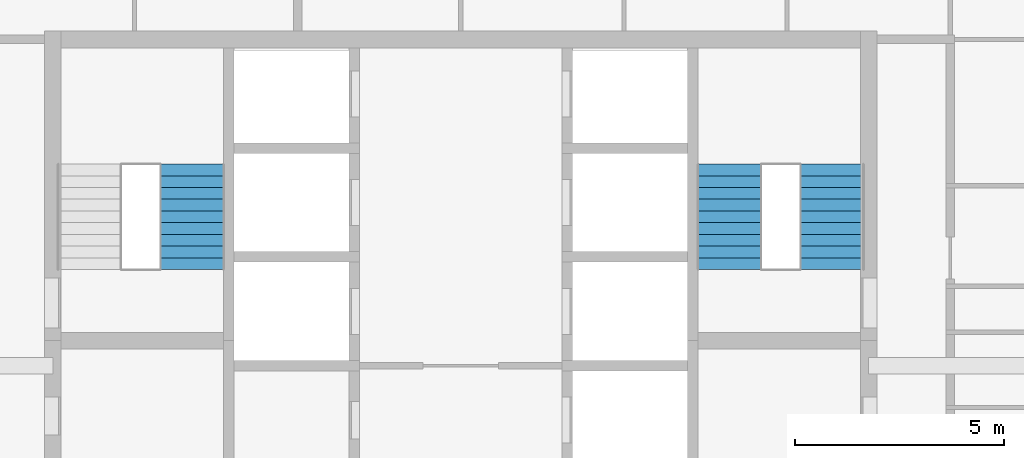
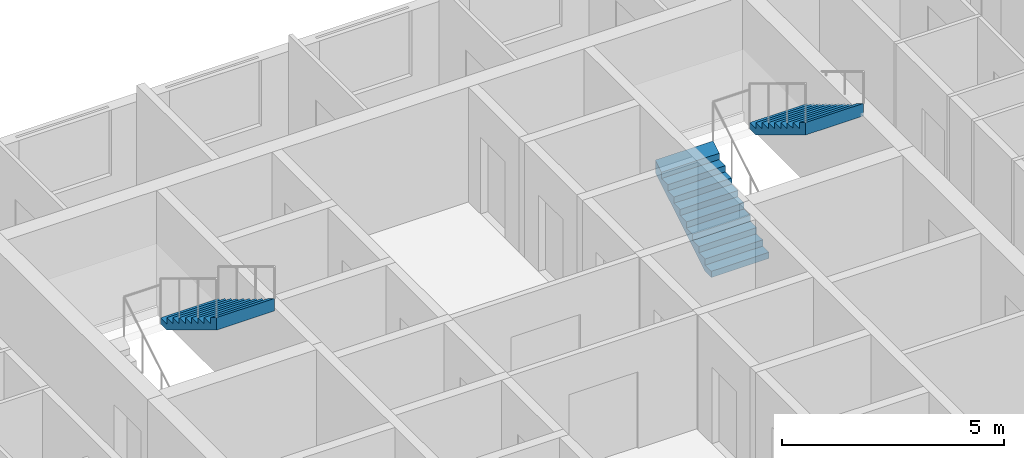
# One storey, part 14 of 16: 3 stair flights, 2 elements without a shape of their own.
"""IFC4 building model written with IfcOpenShell, lengths in metres."""

from ifc_helpers import new_model, si_unit, direction, frame, origin, place, context, subcontext, project, spatial, triangles, material, type_object, element, aggregate, save


model = new_model("IFC4")

# Units and contexts
model_context = context("Model", 3, precision=1e-05, world=origin(), true_north=direction((0.0, 1.0)))
body_context = subcontext(model_context, "Body", "Model", "MODEL_VIEW")
ifc_project = project(units=[si_unit("LENGTHUNIT", "METRE"), si_unit("AREAUNIT", "SQUARE_METRE"), si_unit("VOLUMEUNIT", "CUBIC_METRE"), si_unit("PLANEANGLEUNIT", "RADIAN"), si_unit("MASSUNIT", "GRAM", prefix="KILO")], contexts=[model_context])

# Site, building, storey
site_placement = place(None, origin())
site = spatial("IfcSite", under=ifc_project, at=site_placement, CompositionType="ELEMENT")
building_placement = place(site_placement, origin())
building = spatial("IfcBuilding", under=site, at=building_placement, Name="Ludao Terraces", CompositionType="ELEMENT")
storey_placement = place(building_placement, frame((0.0, 0.0, 207.5)))
storey = spatial("IfcBuildingStorey", under=building, at=storey_placement, Name="L56", CompositionType="ELEMENT", Elevation=207.5)

# Stair, stair flight
ifc_material = material(Name="Concrete C40", Category="concrete")
stair_type = type_object("IfcStairType", Name="INT Stair", PredefinedType="HALF_TURN_STAIR", material=ifc_material)
stair_1_placement = place(storey_placement, origin())
stair_1 = element("IfcStair", 1, at=stair_1_placement, inside=storey, type_object=stair_type, Name="EXIT STAIR 1", PredefinedType="HALF_TURN_STAIR")
stair_flight_type = type_object("IfcStairFlightType", Name="INT Stair flight", PredefinedType="STRAIGHT", material=ifc_material)
stair_flight_1_placement = place(storey_placement, frame((78.574951171875, 81.52001953125, 1.699951171875), z_axis=(0.0, 0.0, 1.0), x_axis=(0.0, -1.0, 0.0)))
stair_flight_1 = element("IfcStairFlight", 2, at=stair_flight_1_placement, type_object=stair_flight_type, Name="ST1 flight 2", NumberOfRisers=10, NumberOfTreads=9, PredefinedType="STRAIGHT", RiserHeight=0.17, TreadLength=0.28, context=body_context, shape_type="Tessellation", body=[
    triangles([(0.0, -0.75, 0.0), (0.0, -0.5, 0.0), (0.0, -0.25, 0.0), (0.0, 0.0, 0.0), (0.0, 0.25, 0.0), (0.0, 0.5, 0.0), (0.0, 0.75, 0.0), (0.0, -0.75, 0.169921875), (0.0, -0.5, 0.169921875), (0.0, -0.25, 0.169921875), (0.0, 0.0, 0.169921875), (0.0, 0.25, 0.169921875), (0.0, 0.5, 0.169921875), (0.0, 0.75, 0.169921875), (0.280029296875, -0.75, 0.169921875), (0.280029296875, -0.5, 0.169921875), (0.280029296875, -0.25, 0.169921875), (0.280029296875, 0.0, 0.169921875), (0.280029296875, 0.25, 0.169921875), (0.280029296875, 0.5, 0.169921875), (0.280029296875, 0.75, 0.169921875), (0.280029296875, -0.75, 0.340087890625), (0.280029296875, -0.5, 0.340087890625), (0.280029296875, -0.25, 0.340087890625), (0.280029296875, 0.0, 0.340087890625), (0.280029296875, 0.25, 0.340087890625), (0.280029296875, 0.5, 0.340087890625), (0.280029296875, 0.75, 0.340087890625), (0.56005859375, -0.75, 0.340087890625), (0.56005859375, -0.5, 0.340087890625), (0.56005859375, -0.25, 0.340087890625), (0.56005859375, 0.0, 0.340087890625), (0.56005859375, 0.25, 0.340087890625), (0.56005859375, 0.5, 0.340087890625), (0.56005859375, 0.75, 0.340087890625), (0.56005859375, -0.75, 0.510009765625), (0.56005859375, -0.5, 0.510009765625), (0.56005859375, -0.25, 0.510009765625), (0.56005859375, 0.0, 0.510009765625), (0.56005859375, 0.25, 0.510009765625), (0.56005859375, 0.5, 0.510009765625), (0.56005859375, 0.75, 0.510009765625), (0.840087890625, -0.75, 0.510009765625), (0.840087890625, -0.5, 0.510009765625), (0.840087890625, -0.25, 0.510009765625), (0.840087890625, 0.0, 0.510009765625), (0.840087890625, 0.25, 0.510009765625), (0.840087890625, 0.5, 0.510009765625), (0.840087890625, 0.75, 0.510009765625), (0.840087890625, -0.75, 0.679931640625), (0.840087890625, -0.5, 0.679931640625), (0.840087890625, -0.25, 0.679931640625), (0.840087890625, 0.0, 0.679931640625), (0.840087890625, 0.25, 0.679931640625), (0.840087890625, 0.5, 0.679931640625), (0.840087890625, 0.75, 0.679931640625), (1.1201171875, -0.75, 0.679931640625), (1.1201171875, -0.5, 0.679931640625), (1.1201171875, -0.25, 0.679931640625), (1.1201171875, 0.0, 0.679931640625), (1.1201171875, 0.25, 0.679931640625), (1.1201171875, 0.5, 0.679931640625), (1.1201171875, 0.75, 0.679931640625), (1.1201171875, -0.75, 0.85009765625), (1.1201171875, -0.5, 0.85009765625), (1.1201171875, -0.25, 0.85009765625), (1.1201171875, 0.0, 0.85009765625), (1.1201171875, 0.25, 0.85009765625), (1.1201171875, 0.5, 0.85009765625), (1.1201171875, 0.75, 0.85009765625), (1.39990234375, -0.75, 0.85009765625), (1.39990234375, -0.5, 0.85009765625), (1.39990234375, -0.25, 0.85009765625), (1.39990234375, 0.0, 0.85009765625), (1.39990234375, 0.25, 0.85009765625), (1.39990234375, 0.5, 0.85009765625), (1.39990234375, 0.75, 0.85009765625), (1.39990234375, -0.75, 1.02001953125), (1.39990234375, -0.5, 1.02001953125), (1.39990234375, -0.25, 1.02001953125), (1.39990234375, 0.0, 1.02001953125), (1.39990234375, 0.25, 1.02001953125), (1.39990234375, 0.5, 1.02001953125), (1.39990234375, 0.75, 1.02001953125), (1.679931640625, -0.75, 1.02001953125), (1.679931640625, -0.5, 1.02001953125), (1.679931640625, -0.25, 1.02001953125), (1.679931640625, 0.0, 1.02001953125), (1.679931640625, 0.25, 1.02001953125), (1.679931640625, 0.5, 1.02001953125), (1.679931640625, 0.75, 1.02001953125), (1.679931640625, -0.75, 1.18994140625), (1.679931640625, -0.5, 1.18994140625), (1.679931640625, -0.25, 1.18994140625), (1.679931640625, 0.0, 1.18994140625), (1.679931640625, 0.25, 1.18994140625), (1.679931640625, 0.5, 1.18994140625), (1.679931640625, 0.75, 1.18994140625), (1.9599609375, -0.75, 1.18994140625), (1.9599609375, -0.5, 1.18994140625), (1.9599609375, -0.25, 1.18994140625), (1.9599609375, 0.0, 1.18994140625), (1.9599609375, 0.25, 1.18994140625), (1.9599609375, 0.5, 1.18994140625), (1.9599609375, 0.75, 1.18994140625), (1.9599609375, -0.75, 1.360107421875), (1.9599609375, -0.5, 1.360107421875), (1.9599609375, -0.25, 1.360107421875), (1.9599609375, 0.0, 1.360107421875), (1.9599609375, 0.25, 1.360107421875), (1.9599609375, 0.5, 1.360107421875), (1.9599609375, 0.75, 1.360107421875), (2.239990234375, -0.75, 1.360107421875), (2.239990234375, -0.5, 1.360107421875), (2.239990234375, -0.25, 1.360107421875), (2.239990234375, 0.0, 1.360107421875), (2.239990234375, 0.25, 1.360107421875), (2.239990234375, 0.5, 1.360107421875), (2.239990234375, 0.75, 1.360107421875), (2.239990234375, -0.75, 1.530029296875), (2.239990234375, -0.5, 1.530029296875), (2.239990234375, -0.25, 1.530029296875), (2.239990234375, 0.0, 1.530029296875), (2.239990234375, 0.25, 1.530029296875), (2.239990234375, 0.5, 1.530029296875), (2.239990234375, 0.75, 1.530029296875), (2.52001953125, -0.75, 1.699951171875), (2.52001953125, -0.5, 1.699951171875), (2.52001953125, -0.25, 1.699951171875), (2.52001953125, 0.0, 1.699951171875), (2.52001953125, 0.25, 1.699951171875), (2.52001953125, 0.5, 1.699951171875), (2.52001953125, 0.75, 1.699951171875), (2.52001953125, -0.75, 1.354736328125), (2.52001953125, -0.5, 1.354736328125), (2.52001953125, -0.25, 1.354736328125), (2.52001953125, 0.0, 1.354736328125), (2.52001953125, 0.25, 1.354736328125), (2.52001953125, 0.5, 1.354736328125), (2.52001953125, 0.75, 1.354736328125), (0.288818359375, -0.75, 0.0), (0.288818359375, -0.5, 0.0), (0.288818359375, -0.25, 0.0), (0.288818359375, 0.0, 0.0), (0.288818359375, 0.25, 0.0), (0.288818359375, 0.5, 0.0), (0.288818359375, 0.75, 0.0)], [[1, 141, 134], [7, 140, 147], [134, 127, 120], [140, 126, 133], [134, 120, 113], [140, 119, 126], [134, 113, 106], [140, 112, 119], [134, 106, 99], [140, 105, 112], [99, 92, 85], [105, 91, 98], [134, 99, 85], [140, 91, 105], [85, 78, 71], [91, 77, 84], [134, 85, 71], [140, 77, 91], [71, 64, 57], [77, 63, 70], [134, 71, 57], [140, 63, 77], [57, 50, 43], [63, 49, 56], [134, 57, 43], [140, 49, 63], [43, 36, 29], [49, 35, 42], [134, 43, 29], [140, 35, 49], [29, 22, 15], [35, 21, 28], [134, 29, 15], [140, 21, 35], [1, 134, 15], [7, 21, 140], [15, 8, 1], [21, 7, 14], [1, 9, 2], [1, 8, 9], [2, 10, 3], [2, 9, 10], [3, 11, 4], [3, 10, 11], [4, 12, 5], [4, 11, 12], [5, 13, 6], [5, 12, 13], [6, 14, 7], [6, 13, 14], [8, 16, 9], [8, 15, 16], [9, 17, 10], [9, 16, 17], [10, 18, 11], [10, 17, 18], [11, 19, 12], [11, 18, 19], [12, 20, 13], [12, 19, 20], [13, 21, 14], [13, 20, 21], [15, 23, 16], [15, 22, 23], [16, 24, 17], [16, 23, 24], [17, 25, 18], [17, 24, 25], [18, 26, 19], [18, 25, 26], [19, 27, 20], [19, 26, 27], [20, 28, 21], [20, 27, 28], [22, 30, 23], [22, 29, 30], [23, 31, 24], [23, 30, 31], [24, 32, 25], [24, 31, 32], [25, 33, 26], [25, 32, 33], [26, 34, 27], [26, 33, 34], [27, 35, 28], [27, 34, 35], [29, 37, 30], [29, 36, 37], [30, 38, 31], [30, 37, 38], [31, 39, 32], [31, 38, 39], [32, 40, 33], [32, 39, 40], [33, 41, 34], [33, 40, 41], [34, 42, 35], [34, 41, 42], [36, 44, 37], [36, 43, 44], [37, 45, 38], [37, 44, 45], [38, 46, 39], [38, 45, 46], [39, 47, 40], [39, 46, 47], [40, 48, 41], [40, 47, 48], [41, 49, 42], [41, 48, 49], [43, 51, 44], [43, 50, 51], [44, 52, 45], [44, 51, 52], [45, 53, 46], [45, 52, 53], [46, 54, 47], [46, 53, 54], [47, 55, 48], [47, 54, 55], [48, 56, 49], [48, 55, 56], [50, 58, 51], [50, 57, 58], [51, 59, 52], [51, 58, 59], [52, 60, 53], [52, 59, 60], [53, 61, 54], [53, 60, 61], [54, 62, 55], [54, 61, 62], [55, 63, 56], [55, 62, 63], [57, 65, 58], [57, 64, 65], [58, 66, 59], [58, 65, 66], [59, 67, 60], [59, 66, 67], [60, 68, 61], [60, 67, 68], [61, 69, 62], [61, 68, 69], [62, 70, 63], [62, 69, 70], [64, 72, 65], [64, 71, 72], [65, 73, 66], [65, 72, 73], [66, 74, 67], [66, 73, 74], [67, 75, 68], [67, 74, 75], [68, 76, 69], [68, 75, 76], [69, 77, 70], [69, 76, 77], [71, 79, 72], [71, 78, 79], [72, 80, 73], [72, 79, 80], [73, 81, 74], [73, 80, 81], [74, 82, 75], [74, 81, 82], [75, 83, 76], [75, 82, 83], [76, 84, 77], [76, 83, 84], [78, 86, 79], [78, 85, 86], [79, 87, 80], [79, 86, 87], [80, 88, 81], [80, 87, 88], [81, 89, 82], [81, 88, 89], [82, 90, 83], [82, 89, 90], [83, 91, 84], [83, 90, 91], [85, 93, 86], [85, 92, 93], [86, 94, 87], [86, 93, 94], [87, 95, 88], [87, 94, 95], [88, 96, 89], [88, 95, 96], [89, 97, 90], [89, 96, 97], [90, 98, 91], [90, 97, 98], [92, 100, 93], [92, 99, 100], [93, 101, 94], [93, 100, 101], [94, 102, 95], [94, 101, 102], [95, 103, 96], [95, 102, 103], [96, 104, 97], [96, 103, 104], [97, 105, 98], [97, 104, 105], [99, 107, 100], [99, 106, 107], [100, 108, 101], [100, 107, 108], [101, 109, 102], [101, 108, 109], [102, 110, 103], [102, 109, 110], [103, 111, 104], [103, 110, 111], [104, 112, 105], [104, 111, 112], [106, 114, 107], [106, 113, 114], [107, 115, 108], [107, 114, 115], [108, 116, 109], [108, 115, 116], [109, 117, 110], [109, 116, 117], [110, 118, 111], [110, 117, 118], [111, 119, 112], [111, 118, 119], [113, 121, 114], [113, 120, 121], [114, 122, 115], [114, 121, 122], [115, 123, 116], [115, 122, 123], [116, 124, 117], [116, 123, 124], [117, 125, 118], [117, 124, 125], [118, 126, 119], [118, 125, 126], [120, 128, 121], [120, 127, 128], [121, 129, 122], [121, 128, 129], [122, 130, 123], [122, 129, 130], [123, 131, 124], [123, 130, 131], [124, 132, 125], [124, 131, 132], [125, 133, 126], [125, 132, 133], [127, 135, 128], [127, 134, 135], [128, 136, 129], [128, 135, 136], [129, 137, 130], [129, 136, 137], [130, 138, 131], [130, 137, 138], [131, 139, 132], [131, 138, 139], [132, 140, 133], [132, 139, 140], [134, 142, 135], [134, 141, 142], [135, 143, 136], [135, 142, 143], [136, 144, 137], [136, 143, 144], [137, 145, 138], [137, 144, 145], [138, 146, 139], [138, 145, 146], [139, 147, 140], [139, 146, 147], [141, 2, 142], [141, 1, 2], [142, 3, 143], [142, 2, 3], [143, 4, 144], [143, 3, 4], [144, 5, 145], [144, 4, 5], [145, 6, 146], [145, 5, 6], [146, 7, 147], [146, 6, 7]], closed=True),
])
aggregate(stair_1, [stair_flight_1])

# Stair, stair flights
stair_2_placement = place(storey_placement, origin())
stair_2 = element("IfcStair", 3, at=stair_2_placement, inside=storey, type_object=stair_type, Name="EXIT STAIR 2", PredefinedType="HALF_TURN_STAIR")
stair_flight_2_placement = place(storey_placement, frame((91.425048828125, 79.0, 0.0), z_axis=(0.0, 0.0, 1.0), x_axis=(0.0, 1.0, 0.0)))
stair_flight_2 = element("IfcStairFlight", 4, at=stair_flight_2_placement, type_object=stair_flight_type, Name="ST2 flight 1", NumberOfRisers=10, NumberOfTreads=9, PredefinedType="STRAIGHT", RiserHeight=0.17, TreadLength=0.28, context=body_context, shape_type="Tessellation", body=[
    triangles([(0.0, -0.75, 0.0), (0.0, -0.5, 0.0), (0.0, -0.25, 0.0), (0.0, 0.0, 0.0), (0.0, 0.25, 0.0), (0.0, 0.5, 0.0), (0.0, 0.75, 0.0), (0.0, -0.75, 0.169921875), (0.0, -0.5, 0.169921875), (0.0, -0.25, 0.169921875), (0.0, 0.0, 0.169921875), (0.0, 0.25, 0.169921875), (0.0, 0.5, 0.169921875), (0.0, 0.75, 0.169921875), (0.280029296875, -0.75, 0.169921875), (0.280029296875, -0.5, 0.169921875), (0.280029296875, -0.25, 0.169921875), (0.280029296875, 0.0, 0.169921875), (0.280029296875, 0.25, 0.169921875), (0.280029296875, 0.5, 0.169921875), (0.280029296875, 0.75, 0.169921875), (0.280029296875, -0.75, 0.340087890625), (0.280029296875, -0.5, 0.340087890625), (0.280029296875, -0.25, 0.340087890625), (0.280029296875, 0.0, 0.340087890625), (0.280029296875, 0.25, 0.340087890625), (0.280029296875, 0.5, 0.340087890625), (0.280029296875, 0.75, 0.340087890625), (0.56005859375, -0.75, 0.340087890625), (0.56005859375, -0.5, 0.340087890625), (0.56005859375, -0.25, 0.340087890625), (0.56005859375, 0.0, 0.340087890625), (0.56005859375, 0.25, 0.340087890625), (0.56005859375, 0.5, 0.340087890625), (0.56005859375, 0.75, 0.340087890625), (0.56005859375, -0.75, 0.510009765625), (0.56005859375, -0.5, 0.510009765625), (0.56005859375, -0.25, 0.510009765625), (0.56005859375, 0.0, 0.510009765625), (0.56005859375, 0.25, 0.510009765625), (0.56005859375, 0.5, 0.510009765625), (0.56005859375, 0.75, 0.510009765625), (0.840087890625, -0.75, 0.510009765625), (0.840087890625, -0.5, 0.510009765625), (0.840087890625, -0.25, 0.510009765625), (0.840087890625, 0.0, 0.510009765625), (0.840087890625, 0.25, 0.510009765625), (0.840087890625, 0.5, 0.510009765625), (0.840087890625, 0.75, 0.510009765625), (0.840087890625, -0.75, 0.679931640625), (0.840087890625, -0.5, 0.679931640625), (0.840087890625, -0.25, 0.679931640625), (0.840087890625, 0.0, 0.679931640625), (0.840087890625, 0.25, 0.679931640625), (0.840087890625, 0.5, 0.679931640625), (0.840087890625, 0.75, 0.679931640625), (1.1201171875, -0.75, 0.679931640625), (1.1201171875, -0.5, 0.679931640625), (1.1201171875, -0.25, 0.679931640625), (1.1201171875, 0.0, 0.679931640625), (1.1201171875, 0.25, 0.679931640625), (1.1201171875, 0.5, 0.679931640625), (1.1201171875, 0.75, 0.679931640625), (1.1201171875, -0.75, 0.85009765625), (1.1201171875, -0.5, 0.85009765625), (1.1201171875, -0.25, 0.85009765625), (1.1201171875, 0.0, 0.85009765625), (1.1201171875, 0.25, 0.85009765625), (1.1201171875, 0.5, 0.85009765625), (1.1201171875, 0.75, 0.85009765625), (1.39990234375, -0.75, 0.85009765625), (1.39990234375, -0.5, 0.85009765625), (1.39990234375, -0.25, 0.85009765625), (1.39990234375, 0.0, 0.85009765625), (1.39990234375, 0.25, 0.85009765625), (1.39990234375, 0.5, 0.85009765625), (1.39990234375, 0.75, 0.85009765625), (1.39990234375, -0.75, 1.02001953125), (1.39990234375, -0.5, 1.02001953125), (1.39990234375, -0.25, 1.02001953125), (1.39990234375, 0.0, 1.02001953125), (1.39990234375, 0.25, 1.02001953125), (1.39990234375, 0.5, 1.02001953125), (1.39990234375, 0.75, 1.02001953125), (1.679931640625, -0.75, 1.02001953125), (1.679931640625, -0.5, 1.02001953125), (1.679931640625, -0.25, 1.02001953125), (1.679931640625, 0.0, 1.02001953125), (1.679931640625, 0.25, 1.02001953125), (1.679931640625, 0.5, 1.02001953125), (1.679931640625, 0.75, 1.02001953125), (1.679931640625, -0.75, 1.18994140625), (1.679931640625, -0.5, 1.18994140625), (1.679931640625, -0.25, 1.18994140625), (1.679931640625, 0.0, 1.18994140625), (1.679931640625, 0.25, 1.18994140625), (1.679931640625, 0.5, 1.18994140625), (1.679931640625, 0.75, 1.18994140625), (1.9599609375, -0.75, 1.18994140625), (1.9599609375, -0.5, 1.18994140625), (1.9599609375, -0.25, 1.18994140625), (1.9599609375, 0.0, 1.18994140625), (1.9599609375, 0.25, 1.18994140625), (1.9599609375, 0.5, 1.18994140625), (1.9599609375, 0.75, 1.18994140625), (1.9599609375, -0.75, 1.360107421875), (1.9599609375, -0.5, 1.360107421875), (1.9599609375, -0.25, 1.360107421875), (1.9599609375, 0.0, 1.360107421875), (1.9599609375, 0.25, 1.360107421875), (1.9599609375, 0.5, 1.360107421875), (1.9599609375, 0.75, 1.360107421875), (2.239990234375, -0.75, 1.360107421875), (2.239990234375, -0.5, 1.360107421875), (2.239990234375, -0.25, 1.360107421875), (2.239990234375, 0.0, 1.360107421875), (2.239990234375, 0.25, 1.360107421875), (2.239990234375, 0.5, 1.360107421875), (2.239990234375, 0.75, 1.360107421875), (2.239990234375, -0.75, 1.530029296875), (2.239990234375, -0.5, 1.530029296875), (2.239990234375, -0.25, 1.530029296875), (2.239990234375, 0.0, 1.530029296875), (2.239990234375, 0.25, 1.530029296875), (2.239990234375, 0.5, 1.530029296875), (2.239990234375, 0.75, 1.530029296875), (2.52001953125, -0.75, 1.699951171875), (2.52001953125, -0.5, 1.699951171875), (2.52001953125, -0.25, 1.699951171875), (2.52001953125, 0.0, 1.699951171875), (2.52001953125, 0.25, 1.699951171875), (2.52001953125, 0.5, 1.699951171875), (2.52001953125, 0.75, 1.699951171875), (2.52001953125, -0.75, 1.354736328125), (2.52001953125, -0.5, 1.354736328125), (2.52001953125, -0.25, 1.354736328125), (2.52001953125, 0.0, 1.354736328125), (2.52001953125, 0.25, 1.354736328125), (2.52001953125, 0.5, 1.354736328125), (2.52001953125, 0.75, 1.354736328125), (0.288818359375, -0.75, 0.0), (0.288818359375, -0.5, 0.0), (0.288818359375, -0.25, 0.0), (0.288818359375, 0.0, 0.0), (0.288818359375, 0.25, 0.0), (0.288818359375, 0.5, 0.0), (0.288818359375, 0.75, 0.0)], [[1, 141, 134], [7, 140, 147], [134, 127, 120], [140, 126, 133], [134, 120, 113], [140, 119, 126], [134, 113, 106], [140, 112, 119], [134, 106, 99], [140, 105, 112], [99, 92, 85], [105, 91, 98], [134, 99, 85], [140, 91, 105], [85, 78, 71], [91, 77, 84], [134, 85, 71], [140, 77, 91], [71, 64, 57], [77, 63, 70], [134, 71, 57], [140, 63, 77], [57, 50, 43], [63, 49, 56], [134, 57, 43], [140, 49, 63], [43, 36, 29], [49, 35, 42], [134, 43, 29], [140, 35, 49], [29, 22, 15], [35, 21, 28], [134, 29, 15], [140, 21, 35], [1, 134, 15], [7, 21, 140], [15, 8, 1], [21, 7, 14], [1, 9, 2], [1, 8, 9], [2, 10, 3], [2, 9, 10], [3, 11, 4], [3, 10, 11], [4, 12, 5], [4, 11, 12], [5, 13, 6], [5, 12, 13], [6, 14, 7], [6, 13, 14], [8, 16, 9], [8, 15, 16], [9, 17, 10], [9, 16, 17], [10, 18, 11], [10, 17, 18], [11, 19, 12], [11, 18, 19], [12, 20, 13], [12, 19, 20], [13, 21, 14], [13, 20, 21], [15, 23, 16], [15, 22, 23], [16, 24, 17], [16, 23, 24], [17, 25, 18], [17, 24, 25], [18, 26, 19], [18, 25, 26], [19, 27, 20], [19, 26, 27], [20, 28, 21], [20, 27, 28], [22, 30, 23], [22, 29, 30], [23, 31, 24], [23, 30, 31], [24, 32, 25], [24, 31, 32], [25, 33, 26], [25, 32, 33], [26, 34, 27], [26, 33, 34], [27, 35, 28], [27, 34, 35], [29, 37, 30], [29, 36, 37], [30, 38, 31], [30, 37, 38], [31, 39, 32], [31, 38, 39], [32, 40, 33], [32, 39, 40], [33, 41, 34], [33, 40, 41], [34, 42, 35], [34, 41, 42], [36, 44, 37], [36, 43, 44], [37, 45, 38], [37, 44, 45], [38, 46, 39], [38, 45, 46], [39, 47, 40], [39, 46, 47], [40, 48, 41], [40, 47, 48], [41, 49, 42], [41, 48, 49], [43, 51, 44], [43, 50, 51], [44, 52, 45], [44, 51, 52], [45, 53, 46], [45, 52, 53], [46, 54, 47], [46, 53, 54], [47, 55, 48], [47, 54, 55], [48, 56, 49], [48, 55, 56], [50, 58, 51], [50, 57, 58], [51, 59, 52], [51, 58, 59], [52, 60, 53], [52, 59, 60], [53, 61, 54], [53, 60, 61], [54, 62, 55], [54, 61, 62], [55, 63, 56], [55, 62, 63], [57, 65, 58], [57, 64, 65], [58, 66, 59], [58, 65, 66], [59, 67, 60], [59, 66, 67], [60, 68, 61], [60, 67, 68], [61, 69, 62], [61, 68, 69], [62, 70, 63], [62, 69, 70], [64, 72, 65], [64, 71, 72], [65, 73, 66], [65, 72, 73], [66, 74, 67], [66, 73, 74], [67, 75, 68], [67, 74, 75], [68, 76, 69], [68, 75, 76], [69, 77, 70], [69, 76, 77], [71, 79, 72], [71, 78, 79], [72, 80, 73], [72, 79, 80], [73, 81, 74], [73, 80, 81], [74, 82, 75], [74, 81, 82], [75, 83, 76], [75, 82, 83], [76, 84, 77], [76, 83, 84], [78, 86, 79], [78, 85, 86], [79, 87, 80], [79, 86, 87], [80, 88, 81], [80, 87, 88], [81, 89, 82], [81, 88, 89], [82, 90, 83], [82, 89, 90], [83, 91, 84], [83, 90, 91], [85, 93, 86], [85, 92, 93], [86, 94, 87], [86, 93, 94], [87, 95, 88], [87, 94, 95], [88, 96, 89], [88, 95, 96], [89, 97, 90], [89, 96, 97], [90, 98, 91], [90, 97, 98], [92, 100, 93], [92, 99, 100], [93, 101, 94], [93, 100, 101], [94, 102, 95], [94, 101, 102], [95, 103, 96], [95, 102, 103], [96, 104, 97], [96, 103, 104], [97, 105, 98], [97, 104, 105], [99, 107, 100], [99, 106, 107], [100, 108, 101], [100, 107, 108], [101, 109, 102], [101, 108, 109], [102, 110, 103], [102, 109, 110], [103, 111, 104], [103, 110, 111], [104, 112, 105], [104, 111, 112], [106, 114, 107], [106, 113, 114], [107, 115, 108], [107, 114, 115], [108, 116, 109], [108, 115, 116], [109, 117, 110], [109, 116, 117], [110, 118, 111], [110, 117, 118], [111, 119, 112], [111, 118, 119], [113, 121, 114], [113, 120, 121], [114, 122, 115], [114, 121, 122], [115, 123, 116], [115, 122, 123], [116, 124, 117], [116, 123, 124], [117, 125, 118], [117, 124, 125], [118, 126, 119], [118, 125, 126], [120, 128, 121], [120, 127, 128], [121, 129, 122], [121, 128, 129], [122, 130, 123], [122, 129, 130], [123, 131, 124], [123, 130, 131], [124, 132, 125], [124, 131, 132], [125, 133, 126], [125, 132, 133], [127, 135, 128], [127, 134, 135], [128, 136, 129], [128, 135, 136], [129, 137, 130], [129, 136, 137], [130, 138, 131], [130, 137, 138], [131, 139, 132], [131, 138, 139], [132, 140, 133], [132, 139, 140], [134, 142, 135], [134, 141, 142], [135, 143, 136], [135, 142, 143], [136, 144, 137], [136, 143, 144], [137, 145, 138], [137, 144, 145], [138, 146, 139], [138, 145, 146], [139, 147, 140], [139, 146, 147], [141, 2, 142], [141, 1, 2], [142, 3, 143], [142, 2, 3], [143, 4, 144], [143, 3, 4], [144, 5, 145], [144, 4, 5], [145, 6, 146], [145, 5, 6], [146, 7, 147], [146, 6, 7]], closed=True),
])
stair_flight_3_placement = place(storey_placement, frame((93.875, 81.52001953125, 1.699951171875), z_axis=(0.0, 0.0, 1.0), x_axis=(0.0, -1.0, 0.0)))
stair_flight_3 = element("IfcStairFlight", 5, at=stair_flight_3_placement, type_object=stair_flight_type, Name="ST2 flight 2", NumberOfRisers=10, NumberOfTreads=9, PredefinedType="STRAIGHT", RiserHeight=0.17, TreadLength=0.28, context=body_context, shape_type="Tessellation", body=[
    triangles([(0.0, -0.75, 0.0), (0.0, -0.5, 0.0), (0.0, -0.25, 0.0), (0.0, 0.0, 0.0), (0.0, 0.25, 0.0), (0.0, 0.5, 0.0), (0.0, 0.75, 0.0), (0.0, -0.75, 0.169921875), (0.0, -0.5, 0.169921875), (0.0, -0.25, 0.169921875), (0.0, 0.0, 0.169921875), (0.0, 0.25, 0.169921875), (0.0, 0.5, 0.169921875), (0.0, 0.75, 0.169921875), (0.280029296875, -0.75, 0.169921875), (0.280029296875, -0.5, 0.169921875), (0.280029296875, -0.25, 0.169921875), (0.280029296875, 0.0, 0.169921875), (0.280029296875, 0.25, 0.169921875), (0.280029296875, 0.5, 0.169921875), (0.280029296875, 0.75, 0.169921875), (0.280029296875, -0.75, 0.340087890625), (0.280029296875, -0.5, 0.340087890625), (0.280029296875, -0.25, 0.340087890625), (0.280029296875, 0.0, 0.340087890625), (0.280029296875, 0.25, 0.340087890625), (0.280029296875, 0.5, 0.340087890625), (0.280029296875, 0.75, 0.340087890625), (0.56005859375, -0.75, 0.340087890625), (0.56005859375, -0.5, 0.340087890625), (0.56005859375, -0.25, 0.340087890625), (0.56005859375, 0.0, 0.340087890625), (0.56005859375, 0.25, 0.340087890625), (0.56005859375, 0.5, 0.340087890625), (0.56005859375, 0.75, 0.340087890625), (0.56005859375, -0.75, 0.510009765625), (0.56005859375, -0.5, 0.510009765625), (0.56005859375, -0.25, 0.510009765625), (0.56005859375, 0.0, 0.510009765625), (0.56005859375, 0.25, 0.510009765625), (0.56005859375, 0.5, 0.510009765625), (0.56005859375, 0.75, 0.510009765625), (0.840087890625, -0.75, 0.510009765625), (0.840087890625, -0.5, 0.510009765625), (0.840087890625, -0.25, 0.510009765625), (0.840087890625, 0.0, 0.510009765625), (0.840087890625, 0.25, 0.510009765625), (0.840087890625, 0.5, 0.510009765625), (0.840087890625, 0.75, 0.510009765625), (0.840087890625, -0.75, 0.679931640625), (0.840087890625, -0.5, 0.679931640625), (0.840087890625, -0.25, 0.679931640625), (0.840087890625, 0.0, 0.679931640625), (0.840087890625, 0.25, 0.679931640625), (0.840087890625, 0.5, 0.679931640625), (0.840087890625, 0.75, 0.679931640625), (1.1201171875, -0.75, 0.679931640625), (1.1201171875, -0.5, 0.679931640625), (1.1201171875, -0.25, 0.679931640625), (1.1201171875, 0.0, 0.679931640625), (1.1201171875, 0.25, 0.679931640625), (1.1201171875, 0.5, 0.679931640625), (1.1201171875, 0.75, 0.679931640625), (1.1201171875, -0.75, 0.85009765625), (1.1201171875, -0.5, 0.85009765625), (1.1201171875, -0.25, 0.85009765625), (1.1201171875, 0.0, 0.85009765625), (1.1201171875, 0.25, 0.85009765625), (1.1201171875, 0.5, 0.85009765625), (1.1201171875, 0.75, 0.85009765625), (1.39990234375, -0.75, 0.85009765625), (1.39990234375, -0.5, 0.85009765625), (1.39990234375, -0.25, 0.85009765625), (1.39990234375, 0.0, 0.85009765625), (1.39990234375, 0.25, 0.85009765625), (1.39990234375, 0.5, 0.85009765625), (1.39990234375, 0.75, 0.85009765625), (1.39990234375, -0.75, 1.02001953125), (1.39990234375, -0.5, 1.02001953125), (1.39990234375, -0.25, 1.02001953125), (1.39990234375, 0.0, 1.02001953125), (1.39990234375, 0.25, 1.02001953125), (1.39990234375, 0.5, 1.02001953125), (1.39990234375, 0.75, 1.02001953125), (1.679931640625, -0.75, 1.02001953125), (1.679931640625, -0.5, 1.02001953125), (1.679931640625, -0.25, 1.02001953125), (1.679931640625, 0.0, 1.02001953125), (1.679931640625, 0.25, 1.02001953125), (1.679931640625, 0.5, 1.02001953125), (1.679931640625, 0.75, 1.02001953125), (1.679931640625, -0.75, 1.18994140625), (1.679931640625, -0.5, 1.18994140625), (1.679931640625, -0.25, 1.18994140625), (1.679931640625, 0.0, 1.18994140625), (1.679931640625, 0.25, 1.18994140625), (1.679931640625, 0.5, 1.18994140625), (1.679931640625, 0.75, 1.18994140625), (1.9599609375, -0.75, 1.18994140625), (1.9599609375, -0.5, 1.18994140625), (1.9599609375, -0.25, 1.18994140625), (1.9599609375, 0.0, 1.18994140625), (1.9599609375, 0.25, 1.18994140625), (1.9599609375, 0.5, 1.18994140625), (1.9599609375, 0.75, 1.18994140625), (1.9599609375, -0.75, 1.360107421875), (1.9599609375, -0.5, 1.360107421875), (1.9599609375, -0.25, 1.360107421875), (1.9599609375, 0.0, 1.360107421875), (1.9599609375, 0.25, 1.360107421875), (1.9599609375, 0.5, 1.360107421875), (1.9599609375, 0.75, 1.360107421875), (2.239990234375, -0.75, 1.360107421875), (2.239990234375, -0.5, 1.360107421875), (2.239990234375, -0.25, 1.360107421875), (2.239990234375, 0.0, 1.360107421875), (2.239990234375, 0.25, 1.360107421875), (2.239990234375, 0.5, 1.360107421875), (2.239990234375, 0.75, 1.360107421875), (2.239990234375, -0.75, 1.530029296875), (2.239990234375, -0.5, 1.530029296875), (2.239990234375, -0.25, 1.530029296875), (2.239990234375, 0.0, 1.530029296875), (2.239990234375, 0.25, 1.530029296875), (2.239990234375, 0.5, 1.530029296875), (2.239990234375, 0.75, 1.530029296875), (2.52001953125, -0.75, 1.699951171875), (2.52001953125, -0.5, 1.699951171875), (2.52001953125, -0.25, 1.699951171875), (2.52001953125, 0.0, 1.699951171875), (2.52001953125, 0.25, 1.699951171875), (2.52001953125, 0.5, 1.699951171875), (2.52001953125, 0.75, 1.699951171875), (2.52001953125, -0.75, 1.354736328125), (2.52001953125, -0.5, 1.354736328125), (2.52001953125, -0.25, 1.354736328125), (2.52001953125, 0.0, 1.354736328125), (2.52001953125, 0.25, 1.354736328125), (2.52001953125, 0.5, 1.354736328125), (2.52001953125, 0.75, 1.354736328125), (0.288818359375, -0.75, 0.0), (0.288818359375, -0.5, 0.0), (0.288818359375, -0.25, 0.0), (0.288818359375, 0.0, 0.0), (0.288818359375, 0.25, 0.0), (0.288818359375, 0.5, 0.0), (0.288818359375, 0.75, 0.0)], [[1, 141, 134], [7, 140, 147], [134, 127, 120], [140, 126, 133], [134, 120, 113], [140, 119, 126], [134, 113, 106], [140, 112, 119], [134, 106, 99], [140, 105, 112], [99, 92, 85], [105, 91, 98], [134, 99, 85], [140, 91, 105], [85, 78, 71], [91, 77, 84], [134, 85, 71], [140, 77, 91], [71, 64, 57], [77, 63, 70], [134, 71, 57], [140, 63, 77], [57, 50, 43], [63, 49, 56], [134, 57, 43], [140, 49, 63], [43, 36, 29], [49, 35, 42], [134, 43, 29], [140, 35, 49], [29, 22, 15], [35, 21, 28], [134, 29, 15], [140, 21, 35], [1, 134, 15], [7, 21, 140], [15, 8, 1], [21, 7, 14], [1, 9, 2], [1, 8, 9], [2, 10, 3], [2, 9, 10], [3, 11, 4], [3, 10, 11], [4, 12, 5], [4, 11, 12], [5, 13, 6], [5, 12, 13], [6, 14, 7], [6, 13, 14], [8, 16, 9], [8, 15, 16], [9, 17, 10], [9, 16, 17], [10, 18, 11], [10, 17, 18], [11, 19, 12], [11, 18, 19], [12, 20, 13], [12, 19, 20], [13, 21, 14], [13, 20, 21], [15, 23, 16], [15, 22, 23], [16, 24, 17], [16, 23, 24], [17, 25, 18], [17, 24, 25], [18, 26, 19], [18, 25, 26], [19, 27, 20], [19, 26, 27], [20, 28, 21], [20, 27, 28], [22, 30, 23], [22, 29, 30], [23, 31, 24], [23, 30, 31], [24, 32, 25], [24, 31, 32], [25, 33, 26], [25, 32, 33], [26, 34, 27], [26, 33, 34], [27, 35, 28], [27, 34, 35], [29, 37, 30], [29, 36, 37], [30, 38, 31], [30, 37, 38], [31, 39, 32], [31, 38, 39], [32, 40, 33], [32, 39, 40], [33, 41, 34], [33, 40, 41], [34, 42, 35], [34, 41, 42], [36, 44, 37], [36, 43, 44], [37, 45, 38], [37, 44, 45], [38, 46, 39], [38, 45, 46], [39, 47, 40], [39, 46, 47], [40, 48, 41], [40, 47, 48], [41, 49, 42], [41, 48, 49], [43, 51, 44], [43, 50, 51], [44, 52, 45], [44, 51, 52], [45, 53, 46], [45, 52, 53], [46, 54, 47], [46, 53, 54], [47, 55, 48], [47, 54, 55], [48, 56, 49], [48, 55, 56], [50, 58, 51], [50, 57, 58], [51, 59, 52], [51, 58, 59], [52, 60, 53], [52, 59, 60], [53, 61, 54], [53, 60, 61], [54, 62, 55], [54, 61, 62], [55, 63, 56], [55, 62, 63], [57, 65, 58], [57, 64, 65], [58, 66, 59], [58, 65, 66], [59, 67, 60], [59, 66, 67], [60, 68, 61], [60, 67, 68], [61, 69, 62], [61, 68, 69], [62, 70, 63], [62, 69, 70], [64, 72, 65], [64, 71, 72], [65, 73, 66], [65, 72, 73], [66, 74, 67], [66, 73, 74], [67, 75, 68], [67, 74, 75], [68, 76, 69], [68, 75, 76], [69, 77, 70], [69, 76, 77], [71, 79, 72], [71, 78, 79], [72, 80, 73], [72, 79, 80], [73, 81, 74], [73, 80, 81], [74, 82, 75], [74, 81, 82], [75, 83, 76], [75, 82, 83], [76, 84, 77], [76, 83, 84], [78, 86, 79], [78, 85, 86], [79, 87, 80], [79, 86, 87], [80, 88, 81], [80, 87, 88], [81, 89, 82], [81, 88, 89], [82, 90, 83], [82, 89, 90], [83, 91, 84], [83, 90, 91], [85, 93, 86], [85, 92, 93], [86, 94, 87], [86, 93, 94], [87, 95, 88], [87, 94, 95], [88, 96, 89], [88, 95, 96], [89, 97, 90], [89, 96, 97], [90, 98, 91], [90, 97, 98], [92, 100, 93], [92, 99, 100], [93, 101, 94], [93, 100, 101], [94, 102, 95], [94, 101, 102], [95, 103, 96], [95, 102, 103], [96, 104, 97], [96, 103, 104], [97, 105, 98], [97, 104, 105], [99, 107, 100], [99, 106, 107], [100, 108, 101], [100, 107, 108], [101, 109, 102], [101, 108, 109], [102, 110, 103], [102, 109, 110], [103, 111, 104], [103, 110, 111], [104, 112, 105], [104, 111, 112], [106, 114, 107], [106, 113, 114], [107, 115, 108], [107, 114, 115], [108, 116, 109], [108, 115, 116], [109, 117, 110], [109, 116, 117], [110, 118, 111], [110, 117, 118], [111, 119, 112], [111, 118, 119], [113, 121, 114], [113, 120, 121], [114, 122, 115], [114, 121, 122], [115, 123, 116], [115, 122, 123], [116, 124, 117], [116, 123, 124], [117, 125, 118], [117, 124, 125], [118, 126, 119], [118, 125, 126], [120, 128, 121], [120, 127, 128], [121, 129, 122], [121, 128, 129], [122, 130, 123], [122, 129, 130], [123, 131, 124], [123, 130, 131], [124, 132, 125], [124, 131, 132], [125, 133, 126], [125, 132, 133], [127, 135, 128], [127, 134, 135], [128, 136, 129], [128, 135, 136], [129, 137, 130], [129, 136, 137], [130, 138, 131], [130, 137, 138], [131, 139, 132], [131, 138, 139], [132, 140, 133], [132, 139, 140], [134, 142, 135], [134, 141, 142], [135, 143, 136], [135, 142, 143], [136, 144, 137], [136, 143, 144], [137, 145, 138], [137, 144, 145], [138, 146, 139], [138, 145, 146], [139, 147, 140], [139, 146, 147], [141, 2, 142], [141, 1, 2], [142, 3, 143], [142, 2, 3], [143, 4, 144], [143, 3, 4], [144, 5, 145], [144, 4, 5], [145, 6, 146], [145, 5, 6], [146, 7, 147], [146, 6, 7]], closed=True),
])
aggregate(stair_2, [stair_flight_2, stair_flight_3])

save(model, "model.ifc")
